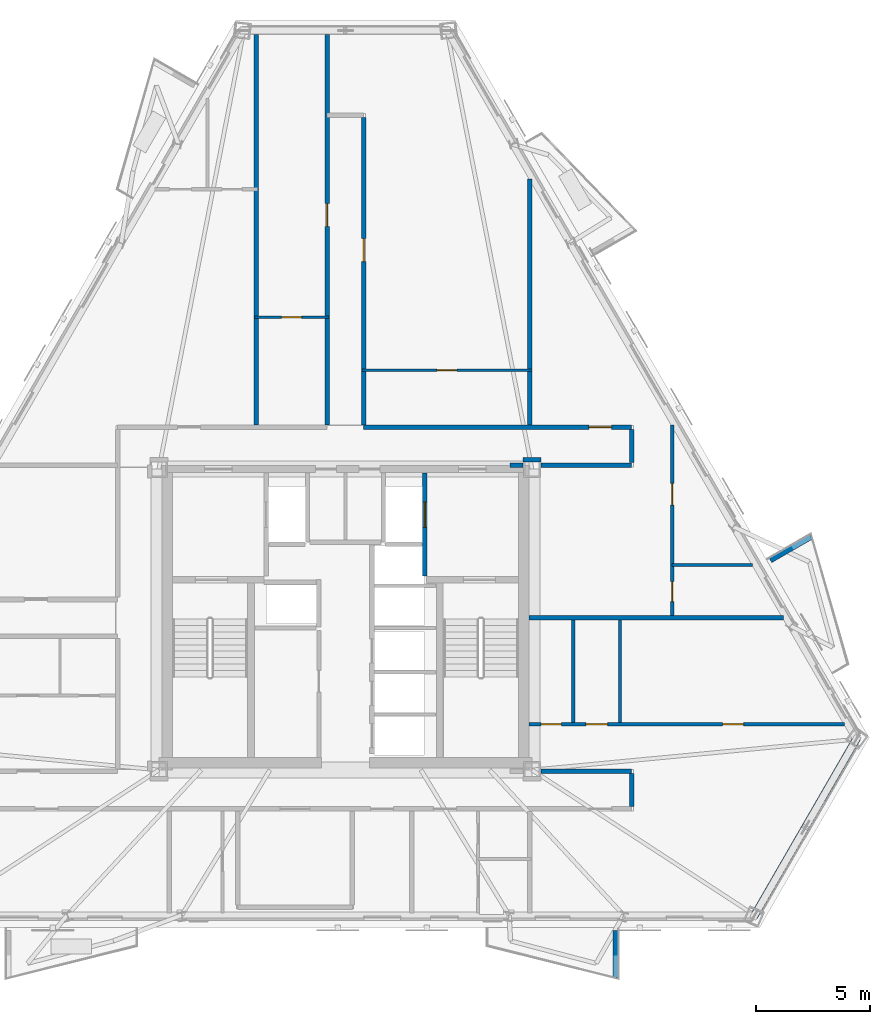
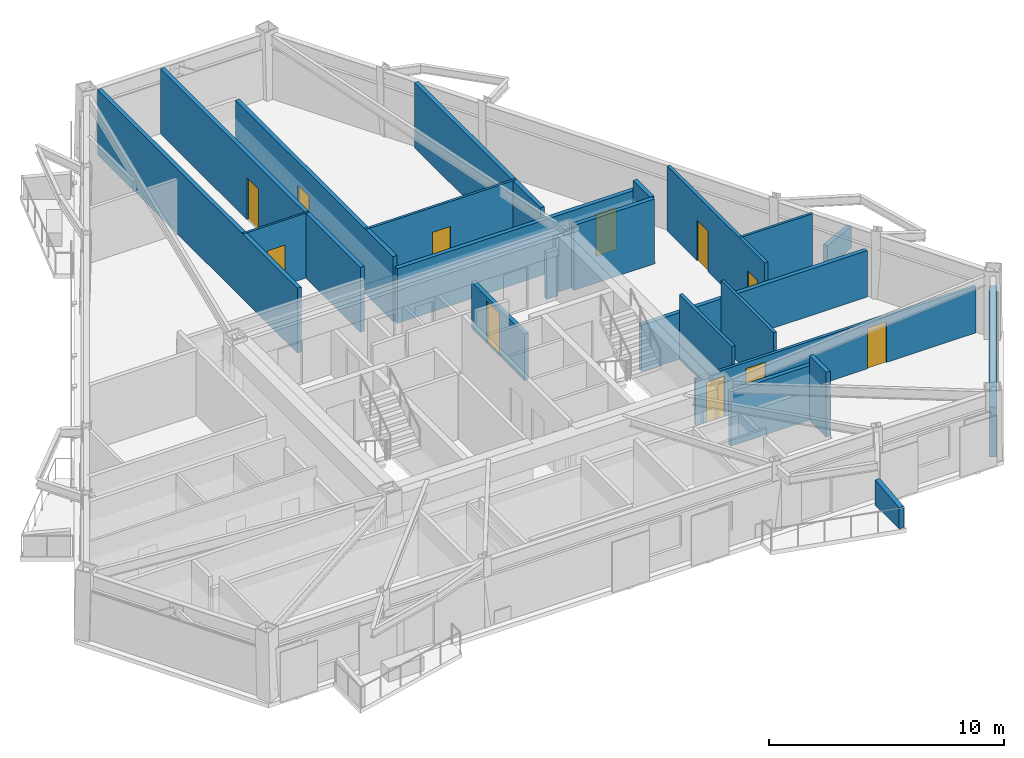
# One storey, part 5 of 9: 23 walls, 11 doors, 11 openings.
"""IFC4 building model written with IfcOpenShell, lengths in metres."""

from ifc_helpers import new_model, si_unit, direction, frame, frame_2d, origin, place, context, subcontext, project, spatial, polyline, rectangle, outline, extrude, material, layer, layer_set, type_object, element, fill, save


model = new_model("IFC4")

# Units and contexts
model_context = context("Model", 3, precision=1e-05, world=origin(), true_north=direction((0.0, 1.0)))
body_context = subcontext(model_context, "Body", "Model", "MODEL_VIEW")
ifc_project = project(units=[si_unit("LENGTHUNIT", "METRE"), si_unit("AREAUNIT", "SQUARE_METRE"), si_unit("VOLUMEUNIT", "CUBIC_METRE"), si_unit("PLANEANGLEUNIT", "RADIAN"), si_unit("MASSUNIT", "GRAM", prefix="KILO")], contexts=[model_context])

# Site, building, storey
site_placement = place(None, origin())
site = spatial("IfcSite", under=ifc_project, at=site_placement, CompositionType="ELEMENT")
building_placement = place(site_placement, origin())
building = spatial("IfcBuilding", under=site, at=building_placement, Name="Oramaril Tower", CompositionType="ELEMENT")
storey_placement = place(building_placement, frame((0.0, 0.0, 160.199951171875)))
storey = spatial("IfcBuildingStorey", under=building, at=storey_placement, Name="L42", CompositionType="ELEMENT", Elevation=160.199951171875)

# Walls
ifc_material_1 = material(Name="Warm Cream Limestone", Category="masonry")
ifc_layer_1 = layer(ifc_material_1, 0.340087890625)
ifc_layer_set_1 = layer_set([ifc_layer_1], Name="WT-EXT34")
wall_type_1 = type_object("IfcWallType", Name="WT-EXT34", PredefinedType="SOLIDWALL", material=ifc_layer_set_1)
wall_1_placement = place(storey_placement, frame((55.336181640625, 4.586669921875, 0.0), z_axis=(0.0, 0.0, 1.0), x_axis=(0.500007864018, 0.866020863444, 0.0)))
element("IfcWall", 1, at=wall_1_placement, inside=storey, type_object=wall_type_1, Name="L42 Tower Limestone Facade Wall 3M", PredefinedType="SOLIDWALL", context=body_context, shape_type="SweptSolid", body=[
    extrude(rectangle(XDim=9.033447265625, YDim=0.340087890625, at=frame_2d((4.5166015625, 0.0))), origin(), (0.0, 0.0, 1.0), 2.60009765625),
])
ifc_material_2 = material(Name="Concrete C40/50", Category="concrete")
ifc_layer_2 = layer(ifc_material_2, 0.22998046875)
ifc_layer_set_2 = layer_set([ifc_layer_2], Name="WT-PRP23")
wall_type_2 = type_object("IfcWallType", Name="WT-PRP23", PredefinedType="PARAPET", material=ifc_layer_set_2)
for number, where, z_axis, x_axis, name in (
    (2, (49.296875, 3.98876953125, 0.0), (0.0, 0.0, 1.0), (0.0, -1.0, 0.0), "L42 Trapezoidal Balcony Frame Cheek L42-BAL-S2-R"),
    (3, (56.06884765625, 20.16064453125, 0.0), (0.0, 0.0, 1.0), (0.866012356593, 0.500022597718, 0.0), "L42 Trapezoidal Balcony Frame Cheek L42-BAL-NE1-R"),
):
    element("IfcWall", number, at=place(storey_placement, frame(where, z_axis=z_axis, x_axis=x_axis)), inside=storey, type_object=wall_type_2, Name=name, PredefinedType="PARAPET", context=body_context, shape_type="SweptSolid", body=[
        extrude(outline(polyline([(0.0, 0.0), (2.0419921875, 0.0), (2.0419921875, 1.10009765625), (0.0, 1.320068359375), (0.0, 0.0)])), frame((0.0, 0.114990234375, 0.0), z_axis=(0.0, -1.0, 0.0), x_axis=(1.0, 0.0, 0.0)), (0.0, 0.0, 1.0), 0.22998046875),
    ])

# Wall, opening, door
ifc_material_3 = material(Name="Acoustic Gypsum Board Partition")
ifc_layer_3 = layer(ifc_material_3, 0.10009765625)
ifc_layer_set_3 = layer_set([ifc_layer_3], Name="WT-PT10")
wall_type_3 = type_object("IfcWallType", Name="WT-PT10", PredefinedType="PARTITIONING", material=ifc_layer_set_3)
wall_2_placement = place(storey_placement, frame((33.51806640625, 30.780029296875, 0.0), z_axis=(0.0, 0.0, 1.0), x_axis=(1.0, 0.0, 0.0)))
wall_2 = element("IfcWall", 4, at=wall_2_placement, inside=storey, type_object=wall_type_3, Name="L42 Interior Partition PT-10", PredefinedType="PARTITIONING", context=body_context, shape_type="SweptSolid", body=[
    extrude(rectangle(XDim=3.263916015625, YDim=0.10009765625, at=frame_2d((1.6318359375, 0.0))), origin(), (0.0, 0.0, 1.0), 3.380126953125),
])
opening_1_placement = place(wall_2_placement, frame((1.19189453125, 0.0, 0.0)))
opening_1 = element("IfcOpeningElement", 5, at=opening_1_placement, cuts=wall_2, Name="Opening D-L42-17", PredefinedType="OPENING", context=body_context, shape_type="SweptSolid", body=[
    extrude(rectangle(XDim=0.8798828125, YDim=2.080078125, at=frame_2d((0.43994140625, 1.0400390625))), frame((0.0, 0.050048828125, 0.0), z_axis=(0.0, -1.0, 0.0), x_axis=(1.0, 0.0, 0.0)), (0.0, 0.0, 1.0), 0.10009765625),
])
ifc_material_4 = material(Name="FSC Brazilian Freijo Hardwood", Category="wood")
door_type_1 = type_object("IfcDoorType", Name="DT-BATH", OperationType="NOTDEFINED", PredefinedType="DOOR", material=ifc_material_4)
door_1_placement = place(opening_1_placement, origin())
door_1 = element("IfcDoor", 6, at=door_1_placement, inside=storey, type_object=door_type_1, Name="L42 Flat L42-U9 Bathroom Door D-L42-17", OperationType="SINGLE_SWING_LEFT", OverallHeight=2.080078125, OverallWidth=0.8798828125, PredefinedType="DOOR", context=body_context, shape_type="SweptSolid", body=[
    extrude(rectangle(XDim=0.8798828125, YDim=2.080078125, at=frame_2d((0.43994140625, 1.0400390625))), frame((0.0, 0.02490234375, 0.0), z_axis=(0.0, -1.0, 0.0), x_axis=(1.0, 0.0, 0.0)), (0.0, 0.0, 1.0), 0.050048828125),
])
fill(opening_1, door_1)

# Wall
ifc_material_5 = material(Name="Acoustic Gypsum Board Partition")
ifc_layer_4 = layer(ifc_material_5, 0.1201171875)
ifc_layer_set_4 = layer_set([ifc_layer_4], Name="WT-PT12")
wall_type_4 = type_object("IfcWallType", Name="WT-PT12", PredefinedType="PARTITIONING", material=ifc_layer_set_4)
wall_3_placement = place(storey_placement, frame((51.77294921875, 19.9599609375, 0.0), z_axis=(0.0, 0.0, 1.0), x_axis=(1.0, 0.0, 0.0)))
element("IfcWall", 7, at=wall_3_placement, inside=storey, type_object=wall_type_4, Name="L42 Interior Partition PT-12", PredefinedType="PARTITIONING", context=body_context, shape_type="SweptSolid", body=[
    extrude(rectangle(XDim=3.520263671875, YDim=0.1201171875, at=frame_2d((1.76025390625, 0.0))), origin(), (0.0, 0.0, 1.0), 3.380126953125),
])

# Wall, opening, door
wall_4_placement = place(storey_placement, frame((38.218017578125, 28.4599609375, 0.0), z_axis=(0.0, 0.0, 1.0), x_axis=(1.0, 0.0, 0.0)))
wall_4 = element("IfcWall", 8, at=wall_4_placement, inside=storey, type_object=wall_type_4, Name="L42 Interior Partition PT-12", PredefinedType="PARTITIONING", context=body_context, shape_type="SweptSolid", body=[
    extrude(rectangle(XDim=7.424072265625, YDim=0.1201171875, at=frame_2d((3.7119140625, 0.0))), origin(), (0.0, 0.0, 1.0), 3.380126953125),
])
opening_2_placement = place(wall_4_placement, frame((3.27197265625, 0.0, 0.0)))
opening_2 = element("IfcOpeningElement", 9, at=opening_2_placement, cuts=wall_4, Name="Opening D-L42-16", PredefinedType="OPENING", context=body_context, shape_type="SweptSolid", body=[
    extrude(rectangle(XDim=0.8798828125, YDim=2.080078125, at=frame_2d((0.43994140625, 1.0400390625))), frame((0.0, 0.06005859375, 0.0), z_axis=(0.0, -1.0, 0.0), x_axis=(1.0, 0.0, 0.0)), (0.0, 0.0, 1.0), 0.1201171875),
])
door_2_placement = place(opening_2_placement, origin())
door_2 = element("IfcDoor", 10, at=door_2_placement, inside=storey, type_object=door_type_1, Name="L42 Flat L42-U10 Bathroom Door D-L42-16", OperationType="SINGLE_SWING_RIGHT", OverallHeight=2.080078125, OverallWidth=0.8798828125, PredefinedType="DOOR", context=body_context, shape_type="SweptSolid", body=[
    extrude(rectangle(XDim=0.8798828125, YDim=2.080078125, at=frame_2d((0.43994140625, 1.0400390625))), frame((0.0, 0.02490234375, 0.0), z_axis=(0.0, -1.0, 0.0), x_axis=(1.0, 0.0, 0.0)), (0.0, 0.0, 1.0), 0.050048828125),
])
fill(opening_2, door_2)

# Wall, openings, doors
ifc_material_6 = material(Name="Acoustic Gypsum Board Partition")
ifc_layer_5 = layer(ifc_material_6, 0.139892578125)
ifc_layer_set_5 = layer_set([ifc_layer_5], Name="WT-PT14")
wall_type_5 = type_object("IfcWallType", Name="WT-PT14", PredefinedType="PARTITIONING", material=ifc_layer_set_5)
wall_5_placement = place(storey_placement, frame((45.513916015625, 13.0, 0.0), z_axis=(0.0, 0.0, 1.0), x_axis=(1.0, 0.0, 0.0)))
wall_5 = element("IfcWall", 11, at=wall_5_placement, inside=storey, type_object=wall_type_5, Name="L42 Interior Partition PT-14", PredefinedType="PARTITIONING", context=body_context, shape_type="SweptSolid", body=[
    extrude(rectangle(XDim=13.797607421875, YDim=0.139892578125, at=frame_2d((6.89892578125, 0.0))), origin(), (0.0, 0.0, 1.0), 2.420166015625),
])
opening_3_placement = place(wall_5_placement, frame((0.535888671875, 0.0, 0.0)))
opening_3 = element("IfcOpeningElement", 12, at=opening_3_placement, cuts=wall_5, Name="Opening D-L42-07", PredefinedType="OPENING", context=body_context, shape_type="SweptSolid", body=[
    extrude(rectangle(XDim=0.8798828125, YDim=2.080078125, at=frame_2d((0.43994140625, 1.0400390625))), frame((0.0, 0.06982421875, 0.0), z_axis=(0.0, -1.0, 0.0), x_axis=(1.0, 0.0, 0.0)), (0.0, 0.0, 1.0), 0.139892578125),
])
opening_4_placement = place(wall_5_placement, frame((2.486083984375, 0.0, 0.0)))
opening_4 = element("IfcOpeningElement", 13, at=opening_4_placement, cuts=wall_5, Name="Opening D-L42-08", PredefinedType="OPENING", context=body_context, shape_type="SweptSolid", body=[
    extrude(rectangle(XDim=0.949951171875, YDim=2.10009765625, at=frame_2d((0.47509765625, 1.050048828125))), frame((0.0, 0.06982421875, 0.0), z_axis=(0.0, -1.0, 0.0), x_axis=(1.0, 0.0, 0.0)), (0.0, 0.0, 1.0), 0.139892578125),
])
opening_5_placement = place(wall_5_placement, frame((8.460205078125, 0.0, 0.0)))
opening_5 = element("IfcOpeningElement", 14, at=opening_5_placement, cuts=wall_5, Name="Opening D-L42-09", PredefinedType="OPENING", context=body_context, shape_type="SweptSolid", body=[
    extrude(rectangle(XDim=0.919921875, YDim=2.1201171875, at=frame_2d((0.4599609375, 1.06005859375))), frame((0.0, 0.06982421875, 0.0), z_axis=(0.0, -1.0, 0.0), x_axis=(1.0, 0.0, 0.0)), (0.0, 0.0, 1.0), 0.139892578125),
])
door_3_placement = place(opening_3_placement, origin())
door_3 = element("IfcDoor", 15, at=door_3_placement, inside=storey, type_object=door_type_1, Name="L42 Flat L42-U6 Bathroom Door D-L42-07", OperationType="SINGLE_SWING_LEFT", OverallHeight=2.080078125, OverallWidth=0.8798828125, PredefinedType="DOOR", context=body_context, shape_type="SweptSolid", body=[
    extrude(rectangle(XDim=0.8798828125, YDim=2.080078125, at=frame_2d((0.43994140625, 1.0400390625))), frame((0.0, 0.02490234375, 0.0), z_axis=(0.0, -1.0, 0.0), x_axis=(1.0, 0.0, 0.0)), (0.0, 0.0, 1.0), 0.050048828125),
])
fill(opening_3, door_3)
ifc_material_7 = material(Name="FSC Brazilian Freijo Hardwood", Category="wood")
door_type_2 = type_object("IfcDoorType", Name="DT-BED", OperationType="NOTDEFINED", PredefinedType="DOOR", material=ifc_material_7)
door_4_placement = place(opening_5_placement, origin())
door_4 = element("IfcDoor", 16, at=door_4_placement, inside=storey, type_object=door_type_2, Name="L42 Flat L42-U6 Master Bedroom Door D-L42-09", OperationType="SINGLE_SWING_LEFT", OverallHeight=2.1201171875, OverallWidth=0.919921875, PredefinedType="DOOR", context=body_context, shape_type="SweptSolid", body=[
    extrude(rectangle(XDim=0.919921875, YDim=2.1201171875, at=frame_2d((0.4599609375, 1.06005859375))), frame((0.0, 0.02490234375, 0.0), z_axis=(0.0, -1.0, 0.0), x_axis=(1.0, 0.0, 0.0)), (0.0, 0.0, 1.0), 0.050048828125),
])
fill(opening_5, door_4)
ifc_material_8 = material(Name="FSC Brazilian Freijo Hardwood", Category="wood")
door_type_3 = type_object("IfcDoorType", Name="DT-STDY", OperationType="NOTDEFINED", PredefinedType="DOOR", material=ifc_material_8)
door_5_placement = place(opening_4_placement, origin())
door_5 = element("IfcDoor", 17, at=door_5_placement, inside=storey, type_object=door_type_3, Name="L42 Flat L42-U6 Kitchen Door D-L42-08", OperationType="SINGLE_SWING_RIGHT", OverallHeight=2.10009765625, OverallWidth=0.949951171875, PredefinedType="DOOR", context=body_context, shape_type="SweptSolid", body=[
    extrude(rectangle(XDim=0.949951171875, YDim=2.10009765625, at=frame_2d((0.47509765625, 1.050048828125))), frame((0.0, 0.02490234375, 0.0), z_axis=(0.0, -1.0, 0.0), x_axis=(1.0, 0.0, 0.0)), (0.0, 0.0, 1.0), 0.050048828125),
])
fill(opening_4, door_5)

# Walls
wall_6_placement = place(storey_placement, frame((49.5, 13.073974609375, 0.0), z_axis=(0.0, 0.0, 1.0), x_axis=(0.0, 1.0, 0.0)))
element("IfcWall", 18, at=wall_6_placement, inside=storey, type_object=wall_type_5, Name="L42 Interior Partition PT-14", PredefinedType="PARTITIONING", context=body_context, shape_type="SweptSolid", body=[
    extrude(rectangle(XDim=4.471923828125, YDim=0.139892578125, at=frame_2d((2.23583984375, 0.0))), origin(), (0.0, 0.0, 1.0), 3.380126953125),
])
ifc_material_9 = material(Name="Acoustic Gypsum Board Partition")
ifc_layer_6 = layer(ifc_material_9, 0.159912109375)
ifc_layer_set_6 = layer_set([ifc_layer_6], Name="WT-PT16")
wall_type_6 = type_object("IfcWallType", Name="WT-PT16", PredefinedType="PARTITIONING", material=ifc_layer_set_6)
wall_7_placement = place(storey_placement, frame((47.449951171875, 13.073974609375, 0.0), z_axis=(0.0, 0.0, 1.0), x_axis=(0.0, 1.0, 0.0)))
element("IfcWall", 19, at=wall_7_placement, inside=storey, type_object=wall_type_6, Name="L42 Interior Partition PT-16", PredefinedType="PARTITIONING", context=body_context, shape_type="SweptSolid", body=[
    extrude(rectangle(XDim=4.471923828125, YDim=0.159912109375, at=frame_2d((2.23583984375, 0.0))), origin(), (0.0, 0.0, 1.0), 3.380126953125),
])

# Wall, openings, doors
wall_8_placement = place(storey_placement, frame((51.77001953125, 17.75390625, 0.0), z_axis=(0.0, 0.0, 1.0), x_axis=(0.0, 1.0, 0.0)))
wall_8 = element("IfcWall", 20, at=wall_8_placement, inside=storey, type_object=wall_type_6, Name="L42 Interior Partition PT-16", PredefinedType="PARTITIONING", context=body_context, shape_type="SweptSolid", body=[
    extrude(rectangle(XDim=8.308349609375, YDim=0.159912109375, at=frame_2d((4.154296875, 0.0))), origin(), (0.0, 0.0, 1.0), 3.380126953125),
])
opening_6_placement = place(wall_8_placement, frame((0.597900390625, 0.0, 0.0)))
opening_6 = element("IfcOpeningElement", 21, at=opening_6_placement, cuts=wall_8, Name="Opening D-L42-27", PredefinedType="OPENING", context=body_context, shape_type="SweptSolid", body=[
    extrude(rectangle(XDim=0.8798828125, YDim=2.080078125, at=frame_2d((0.43994140625, 1.0400390625))), frame((0.0, 0.080078125, 0.0), z_axis=(0.0, -1.0, 0.0), x_axis=(1.0, 0.0, 0.0)), (0.0, 0.0, 1.0), 0.159912109375),
])
opening_7_placement = place(wall_8_placement, frame((4.8203125, 0.0, 0.0)))
opening_7 = element("IfcOpeningElement", 22, at=opening_7_placement, cuts=wall_8, Name="Opening D-L42-28", PredefinedType="OPENING", context=body_context, shape_type="SweptSolid", body=[
    extrude(rectangle(XDim=0.949951171875, YDim=2.10009765625, at=frame_2d((0.47509765625, 1.050048828125))), frame((0.0, 0.080078125, 0.0), z_axis=(0.0, -1.0, 0.0), x_axis=(1.0, 0.0, 0.0)), (0.0, 0.0, 1.0), 0.159912109375),
])
door_6_placement = place(opening_6_placement, origin())
door_6 = element("IfcDoor", 23, at=door_6_placement, inside=storey, type_object=door_type_1, Name="L42 Flat L42-U7 Bathroom Door D-L42-27", OperationType="SINGLE_SWING_LEFT", OverallHeight=2.080078125, OverallWidth=0.8798828125, PredefinedType="DOOR", context=body_context, shape_type="SweptSolid", body=[
    extrude(rectangle(XDim=0.8798828125, YDim=2.080078125, at=frame_2d((0.43994140625, 1.0400390625))), frame((0.0, 0.02490234375, 0.0), z_axis=(0.0, -1.0, 0.0), x_axis=(1.0, 0.0, 0.0)), (0.0, 0.0, 1.0), 0.050048828125),
])
fill(opening_6, door_6)
door_7_placement = place(opening_7_placement, origin())
door_7 = element("IfcDoor", 24, at=door_7_placement, inside=storey, type_object=door_type_3, Name="L42 Flat L42-U7 Kitchen Door D-L42-28", OperationType="SINGLE_SWING_RIGHT", OverallHeight=2.10009765625, OverallWidth=0.949951171875, PredefinedType="DOOR", context=body_context, shape_type="SweptSolid", body=[
    extrude(rectangle(XDim=0.949951171875, YDim=2.10009765625, at=frame_2d((0.47509765625, 1.050048828125))), frame((0.0, 0.02490234375, 0.0), z_axis=(0.0, -1.0, 0.0), x_axis=(1.0, 0.0, 0.0)), (0.0, 0.0, 1.0), 0.050048828125),
])
fill(opening_7, door_7)

# Walls
ifc_material_10 = material(Name="Autoclaved Cellular Concrete Block", Category="concrete")
ifc_layer_7 = layer(ifc_material_10, 0.199951171875)
ifc_layer_set_7 = layer_set([ifc_layer_7], Name="WT-PT20")
wall_type_7 = type_object("IfcWallType", Name="WT-PT20", PredefinedType="PARTITIONING", material=ifc_layer_set_7)
wall_9_placement = place(storey_placement, frame((46.0400390625, 10.949951171875, 0.0), z_axis=(0.0, 0.0, 1.0), x_axis=(1.0, 0.0, 0.0)))
element("IfcWall", 25, at=wall_9_placement, inside=storey, type_object=wall_type_7, Name="L42 Interior Partition PT-20", PredefinedType="PARTITIONING", context=body_context, shape_type="SweptSolid", body=[
    extrude(rectangle(XDim=3.9599609375, YDim=0.199951171875, at=frame_2d((1.97998046875, 0.0))), origin(), (0.0, 0.0, 1.0), 2.842041015625),
])
wall_10_placement = place(storey_placement, frame((45.513916015625, 17.64990234375, 0.0), z_axis=(0.0, 0.0, 1.0), x_axis=(1.0, 0.0, 0.0)))
element("IfcWall", 26, at=wall_10_placement, inside=storey, type_object=wall_type_7, Name="L42 Interior Partition PT-20", PredefinedType="PARTITIONING", context=body_context, shape_type="SweptSolid", body=[
    extrude(rectangle(XDim=11.113037109375, YDim=0.199951171875, at=frame_2d((5.556640625, 0.0))), origin(), (0.0, 0.0, 1.0), 2.420166015625),
])
wall_11_placement = place(storey_placement, frame((44.695068359375, 24.320068359375, 0.0), z_axis=(0.0, 0.0, 1.0), x_axis=(1.0, 0.0, 0.0)))
element("IfcWall", 27, at=wall_11_placement, inside=storey, type_object=wall_type_7, Name="L42 Interior Partition PT-20", PredefinedType="PARTITIONING", context=body_context, shape_type="SweptSolid", body=[
    extrude(rectangle(XDim=0.56494140625, YDim=0.199951171875, at=frame_2d((0.282470703125, 0.0))), origin(), (0.0, 0.0, 1.0), 2.420166015625),
])
wall_12_placement = place(storey_placement, frame((46.0400390625, 24.320068359375, 0.0), z_axis=(0.0, 0.0, 1.0), x_axis=(1.0, 0.0, 0.0)))
element("IfcWall", 28, at=wall_12_placement, inside=storey, type_object=wall_type_7, Name="L42 Interior Partition PT-20", PredefinedType="PARTITIONING", context=body_context, shape_type="SweptSolid", body=[
    extrude(rectangle(XDim=3.9599609375, YDim=0.199951171875, at=frame_2d((1.97998046875, 0.0))), origin(), (0.0, 0.0, 1.0), 3.380126953125),
])
wall_13_placement = place(storey_placement, frame((45.2548828125, 24.550048828125, 0.0), z_axis=(0.0, 0.0, 1.0), x_axis=(1.0, 0.0, 0.0)))
element("IfcWall", 29, at=wall_13_placement, inside=storey, type_object=wall_type_7, Name="L42 Interior Partition PT-20", PredefinedType="PARTITIONING", context=body_context, shape_type="SweptSolid", body=[
    extrude(rectangle(XDim=0.7900390625, YDim=0.199951171875, at=frame_2d((0.39501953125, 0.0))), origin(), (0.0, 0.0, 1.0), 2.842041015625),
])

# Wall, opening, door
wall_14_placement = place(storey_placement, frame((38.300048828125, 25.969970703125, 0.0), z_axis=(0.0, 0.0, 1.0), x_axis=(1.0, 0.0, 0.0)))
wall_14 = element("IfcWall", 30, at=wall_14_placement, inside=storey, type_object=wall_type_7, Name="L42 Interior Partition PT-20", PredefinedType="PARTITIONING", context=body_context, shape_type="SweptSolid", body=[
    extrude(rectangle(XDim=11.699951171875, YDim=0.199951171875, at=frame_2d((5.85009765625, 0.0))), origin(), (0.0, 0.0, 1.0), 2.842041015625),
])
opening_8_placement = place(wall_14_placement, frame((9.832275390625, 0.0, 0.0)))
opening_8 = element("IfcOpeningElement", 31, at=opening_8_placement, cuts=wall_14, Name="Opening D-L42-15", PredefinedType="OPENING", context=body_context, shape_type="SweptSolid", body=[
    extrude(rectangle(XDim=1.0, YDim=2.179931640625, at=frame_2d((0.5, 1.08984375))), frame((0.0, 0.10009765625, 0.0), z_axis=(0.0, -1.0, 0.0), x_axis=(1.0, 0.0, 0.0)), (0.0, 0.0, 1.0), 0.199951171875),
])
ifc_material_11 = material(Name="FSC Brazilian Freijo Hardwood", Category="wood")
door_type_4 = type_object("IfcDoorType", Name="DT-APT", OperationType="NOTDEFINED", PredefinedType="DOOR", material=ifc_material_11)
door_8_placement = place(opening_8_placement, origin())
door_8 = element("IfcDoor", 32, at=door_8_placement, inside=storey, type_object=door_type_4, Name="L42 Flat L42-U7 Studio Apartment Door D-L42-15", OperationType="SINGLE_SWING_LEFT", OverallHeight=2.179931640625, OverallWidth=1.0, PredefinedType="DOOR", context=body_context, shape_type="SweptSolid", body=[
    extrude(rectangle(XDim=1.0, YDim=2.179931640625, at=frame_2d((0.5, 1.08984375))), frame((0.0, 0.02490234375, 0.0), z_axis=(0.0, -1.0, 0.0), x_axis=(1.0, 0.0, 0.0)), (0.0, 0.0, 1.0), 0.050048828125),
])
fill(opening_8, door_8)

# Wall
wall_15_placement = place(storey_placement, frame((33.60009765625, 26.073974609375, 0.0), z_axis=(0.0, 0.0, 1.0), x_axis=(0.0, 1.0, 0.0)))
element("IfcWall", 33, at=wall_15_placement, inside=storey, type_object=wall_type_7, Name="L42 Interior Partition PT-20", PredefinedType="PARTITIONING", context=body_context, shape_type="SweptSolid", body=[
    extrude(rectangle(XDim=17.055419921875, YDim=0.199951171875, at=frame_2d((8.52783203125, 0.0))), origin(), (0.0, 0.0, 1.0), 3.380126953125),
])

# Wall, opening, door
wall_16_placement = place(storey_placement, frame((36.699951171875, 26.073974609375, 0.0), z_axis=(0.0, 0.0, 1.0), x_axis=(0.0, 1.0, 0.0)))
wall_16 = element("IfcWall", 34, at=wall_16_placement, inside=storey, type_object=wall_type_7, Name="L42 Interior Partition PT-20", PredefinedType="PARTITIONING", context=body_context, shape_type="SweptSolid", body=[
    extrude(rectangle(XDim=17.055419921875, YDim=0.199951171875, at=frame_2d((8.52783203125, 0.0))), origin(), (0.0, 0.0, 1.0), 3.380126953125),
])
opening_9_placement = place(wall_16_placement, frame((8.669921875, 0.0, 0.0)))
opening_9 = element("IfcOpeningElement", 35, at=opening_9_placement, cuts=wall_16, Name="Opening D-L42-23", PredefinedType="OPENING", context=body_context, shape_type="SweptSolid", body=[
    extrude(rectangle(XDim=1.0, YDim=2.179931640625, at=frame_2d((0.5, 1.08984375))), frame((0.0, 0.10009765625, 0.0), z_axis=(0.0, -1.0, 0.0), x_axis=(1.0, 0.0, 0.0)), (0.0, 0.0, 1.0), 0.199951171875),
])
door_9_placement = place(opening_9_placement, origin())
door_9 = element("IfcDoor", 36, at=door_9_placement, inside=storey, type_object=door_type_4, Name="L42 Flat L42-U9 Kitchen and Studio Apartment Door D-L42-23", OperationType="SINGLE_SWING_LEFT", OverallHeight=2.179931640625, OverallWidth=1.0, PredefinedType="DOOR", context=body_context, shape_type="SweptSolid", body=[
    extrude(rectangle(XDim=1.0, YDim=2.179931640625, at=frame_2d((0.5, 1.08984375))), frame((0.0, 0.02490234375, 0.0), z_axis=(0.0, -1.0, 0.0), x_axis=(1.0, 0.0, 0.0)), (0.0, 0.0, 1.0), 0.050048828125),
])
fill(opening_9, door_9)

wall_17_placement = place(storey_placement, frame((38.300048828125, 26.073974609375, 0.0), z_axis=(0.0, 0.0, 1.0), x_axis=(0.0, 1.0, 0.0)))
wall_17 = element("IfcWall", 37, at=wall_17_placement, inside=storey, type_object=wall_type_7, Name="L42 Interior Partition PT-20", PredefinedType="PARTITIONING", context=body_context, shape_type="SweptSolid", body=[
    extrude(rectangle(XDim=13.422119140625, YDim=0.199951171875, at=frame_2d((6.7109375, 0.0))), origin(), (0.0, 0.0, 1.0), 3.380126953125),
])
opening_10_placement = place(wall_17_placement, frame((7.13671875, 0.0, 0.0)))
opening_10 = element("IfcOpeningElement", 38, at=opening_10_placement, cuts=wall_17, Name="Opening D-L42-24", PredefinedType="OPENING", context=body_context, shape_type="SweptSolid", body=[
    extrude(rectangle(XDim=1.0, YDim=2.179931640625, at=frame_2d((0.5, 1.08984375))), frame((0.0, 0.10009765625, 0.0), z_axis=(0.0, -1.0, 0.0), x_axis=(1.0, 0.0, 0.0)), (0.0, 0.0, 1.0), 0.199951171875),
])
door_10_placement = place(opening_10_placement, origin())
door_10 = element("IfcDoor", 39, at=door_10_placement, inside=storey, type_object=door_type_4, Name="L42 Flat L42-U10 Kitchen and Studio Apartment Door D-L42-24", OperationType="SINGLE_SWING_RIGHT", OverallHeight=2.179931640625, OverallWidth=1.0, PredefinedType="DOOR", context=body_context, shape_type="SweptSolid", body=[
    extrude(rectangle(XDim=1.0, YDim=2.179931640625, at=frame_2d((0.5, 1.08984375))), frame((0.0, 0.02490234375, 0.0), z_axis=(0.0, -1.0, 0.0), x_axis=(1.0, 0.0, 0.0)), (0.0, 0.0, 1.0), 0.050048828125),
])
fill(opening_10, door_10)

# Walls
wall_18_placement = place(storey_placement, frame((45.56005859375, 26.073974609375, 0.0), z_axis=(0.0, 0.0, 1.0), x_axis=(0.0, 1.0, 0.0)))
element("IfcWall", 40, at=wall_18_placement, inside=storey, type_object=wall_type_7, Name="L42 Interior Partition PT-20", PredefinedType="PARTITIONING", context=body_context, shape_type="SweptSolid", body=[
    extrude(rectangle(XDim=10.744384765625, YDim=0.199951171875, at=frame_2d((5.3720703125, 0.0))), origin(), (0.0, 0.0, 1.0), 3.380126953125),
])
for number, where, z_axis, x_axis, name in (
    (41, (50.0, 9.404052734375, 0.0), (0.0, 0.0, 1.0), (0.0, 1.0, 0.0), "L42 Interior Partition PT-20"),
    (42, (50.0, 24.424072265625, 0.0), (0.0, 0.0, 1.0), (0.0, 1.0, 0.0), "L42 Interior Partition PT-20"),
):
    element("IfcWall", number, at=place(storey_placement, frame(where, z_axis=z_axis, x_axis=x_axis)), inside=storey, type_object=wall_type_7, Name=name, PredefinedType="PARTITIONING", context=body_context, shape_type="SweptSolid", body=[
        extrude(rectangle(XDim=1.44189453125, YDim=0.199951171875, at=frame_2d((0.720947265625, 0.0))), origin(), (0.0, 0.0, 1.0), 3.380126953125),
    ])

# Wall, opening, door
ifc_material_12 = material(Name="Autoclaved Cellular Concrete Block", Category="concrete")
ifc_layer_8 = layer(ifc_material_12, 0.199951171875)
ifc_layer_set_8 = layer_set([ifc_layer_8], Name="WT-SHF20")
wall_type_8 = type_object("IfcWallType", Name="WT-SHF20", PredefinedType="PARTITIONING", material=ifc_layer_set_8)
wall_19_placement = place(storey_placement, frame((40.9599609375, 19.47998046875, 0.0), z_axis=(0.0, 0.0, 1.0), x_axis=(0.0, 1.0, 0.0)))
wall_19 = element("IfcWall", 43, at=wall_19_placement, inside=storey, type_object=wall_type_8, Name="L42 FL-2 Lobby Shaft Wall", PredefinedType="PARTITIONING", context=body_context, shape_type="SweptSolid", body=[
    extrude(rectangle(XDim=4.5, YDim=0.199951171875, at=frame_2d((2.25, 0.0))), origin(), (0.0, 0.0, 1.0), 2.420166015625),
])
opening_11_placement = place(wall_19_placement, frame((2.1201171875, 0.0, 0.0)))
opening_11 = element("IfcOpeningElement", 44, at=opening_11_placement, cuts=wall_19, Name="Opening LD-L42-FL-2", PredefinedType="OPENING", context=body_context, shape_type="SweptSolid", body=[
    extrude(rectangle(XDim=1.10009765625, YDim=2.199951171875, at=frame_2d((0.550048828125, 1.10009765625))), frame((0.0, 0.10009765625, 0.0), z_axis=(0.0, -1.0, 0.0), x_axis=(1.0, 0.0, 0.0)), (0.0, 0.0, 1.0), 0.199951171875),
])
ifc_material_13 = material(Name="Stainless Steel 316L", Category="steel")
door_type_5 = type_object("IfcDoorType", Name="DT-LD1", OperationType="NOTDEFINED", PredefinedType="DOOR", material=ifc_material_13)
door_11_placement = place(opening_11_placement, origin())
door_11 = element("IfcDoor", 45, at=door_11_placement, inside=storey, type_object=door_type_5, Name="L42 Lift FL-2 Sliding Landing Door", OperationType="SLIDING_TO_RIGHT", OverallHeight=2.199951171875, OverallWidth=1.10009765625, PredefinedType="DOOR", context=body_context, shape_type="SweptSolid", body=[
    extrude(rectangle(XDim=1.10009765625, YDim=2.199951171875, at=frame_2d((0.550048828125, 1.10009765625))), frame((0.0, 0.02490234375, 0.0), z_axis=(0.0, -1.0, 0.0), x_axis=(1.0, 0.0, 0.0)), (0.0, 0.0, 1.0), 0.050048828125),
])
fill(opening_11, door_11)

save(model, "model.ifc")
